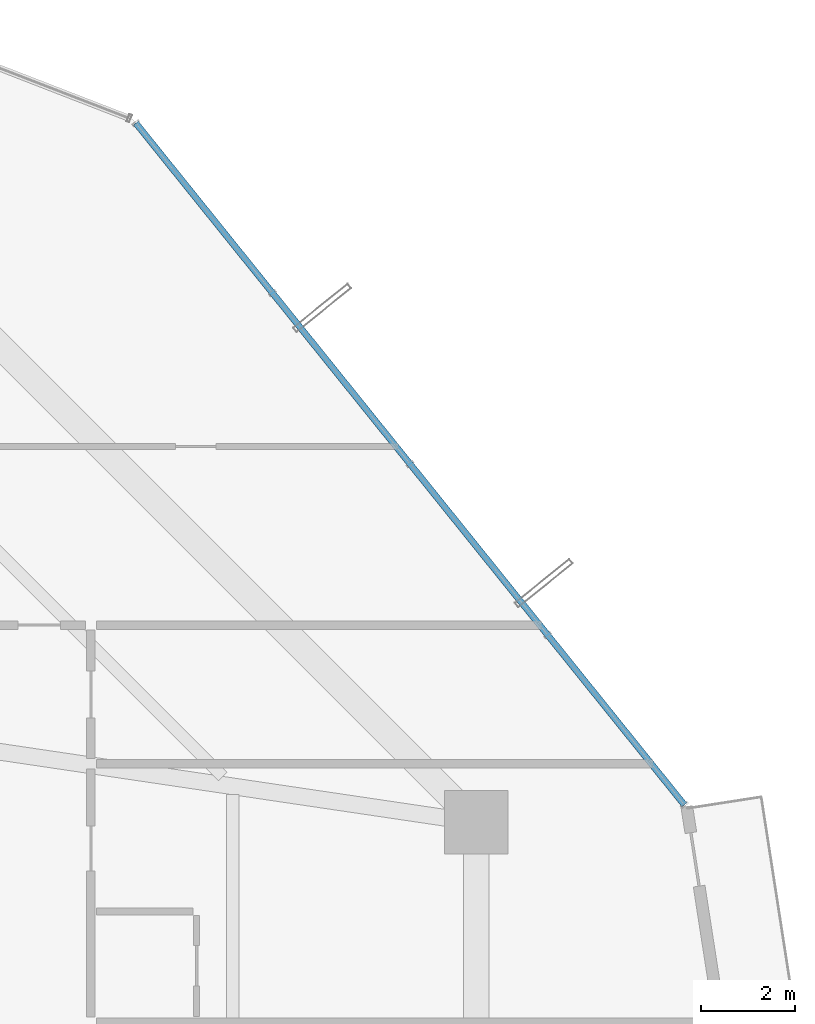
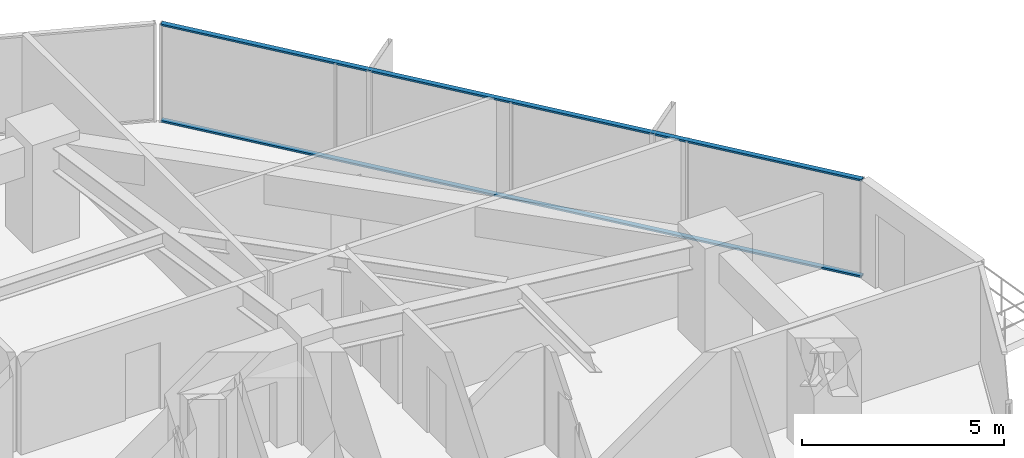
# One storey, part 30 of 37: 2 members, 1 element without a shape of its own.
"""IFC4 building model written with IfcOpenShell, lengths in metres."""

from ifc_helpers import new_model, si_unit, direction, frame, origin, origin_2d, place, context, subcontext, project, spatial, hollow_rectangle, extrude, source, transform, mapped, material, layer, layer_set, material_profile, profile_set, type_object, element, aggregate, save


model = new_model("IFC4")

# Units and contexts
model_context = context("Model", 3, precision=1e-05, world=origin(), true_north=direction((0.0, 1.0)))
body_context = subcontext(model_context, "Body", "Model", "MODEL_VIEW")
ifc_project = project(units=[si_unit("LENGTHUNIT", "METRE"), si_unit("AREAUNIT", "SQUARE_METRE"), si_unit("VOLUMEUNIT", "CUBIC_METRE"), si_unit("PLANEANGLEUNIT", "RADIAN"), si_unit("MASSUNIT", "GRAM", prefix="KILO")], contexts=[model_context])

# Site, building, storey
site_placement = place(None, origin())
site = spatial("IfcSite", under=ifc_project, at=site_placement, CompositionType="ELEMENT")
building_placement = place(site_placement, origin())
building = spatial("IfcBuilding", under=site, at=building_placement, Name="Veraguas Prism Commons", CompositionType="ELEMENT")
storey_placement = place(building_placement, frame((0.0, 0.0, 53.300048828125)))
storey = spatial("IfcBuildingStorey", under=building, at=storey_placement, Name="L14", CompositionType="ELEMENT", Elevation=53.300048828125)

# Curtain wall, members
ifc_material = material(Name="Anodised aluminium EN AW-6063 T6", Category="aluminium")
ifc_layer = layer(ifc_material, 0.169921875, Name="Unitised Flush Curtain Wall Zone 1", Category="aluminium")
ifc_layer_set = layer_set([ifc_layer], Name="Anodised aluminium EN AW-6063 T6")
curtain_wall_type = type_object("IfcCurtainWallType", Name="Unitised Flush Curtain Wall Zone 1", PredefinedType="NOTDEFINED", material=ifc_layer_set)
curtain_wall_placement = place(storey_placement, origin())
curtain_wall = element("IfcCurtainWall", 1, at=curtain_wall_placement, inside=storey, type_object=curtain_wall_type, Name="Tower Facade Curtain Wall L14-F1", PredefinedType="NOTDEFINED")
ifc_material_profile = material_profile(ifc_material, hollow_rectangle(XDim=0.054931640625, YDim=0.135009765625, WallThickness=0.0029296875, at=origin_2d()), Name="AL55X135X3")
ifc_profile_set = profile_set([ifc_material_profile], Name="Anodised aluminium EN AW-6063 T6")
member_type = type_object("IfcMemberType", Name="Curtain Wall Transom Standard AL 55x135x3", PredefinedType="USERDEFINED", material=ifc_profile_set)
shared_shape = source(origin(), body_context, "Body", "SweptSolid", [
    extrude(hollow_rectangle(XDim=0.054931640625, YDim=0.135009765625, WallThickness=0.0029296875, at=origin_2d()), origin(), (0.0, 0.0, 1.0), 18.623779296875),
])
member_1_placement = place(storey_placement, frame((46.031005859375, 29.774169921875, 0.02734375), z_axis=(-0.626873184897, 0.779121306381, 0.0), x_axis=(0.0, 0.0, 1.0)))
member_1 = element("IfcMember", 2, at=member_1_placement, type_object=member_type, Name="CW-Z1 Transom 1", ObjectType="TRANSOM", PredefinedType="USERDEFINED", context=body_context, shape_type="MappedRepresentation", body=[
    mapped(shared_shape, transform((0.0, 0.0, 0.0), scale=1.0)),
])
member_2_placement = place(storey_placement, frame((46.031005859375, 29.774169921875, 2.9423828125), z_axis=(-0.626873184897, 0.779121306381, 0.0), x_axis=(0.0, 0.0, 1.0)))
member_2 = element("IfcMember", 3, at=member_2_placement, type_object=member_type, Name="CW-Z1 Transom 2", ObjectType="TRANSOM", PredefinedType="USERDEFINED", context=body_context, shape_type="MappedRepresentation", body=[
    mapped(shared_shape, transform((0.0, 0.0, 0.0), scale=1.0)),
])
aggregate(curtain_wall, [member_1, member_2])

save(model, "model.ifc")
